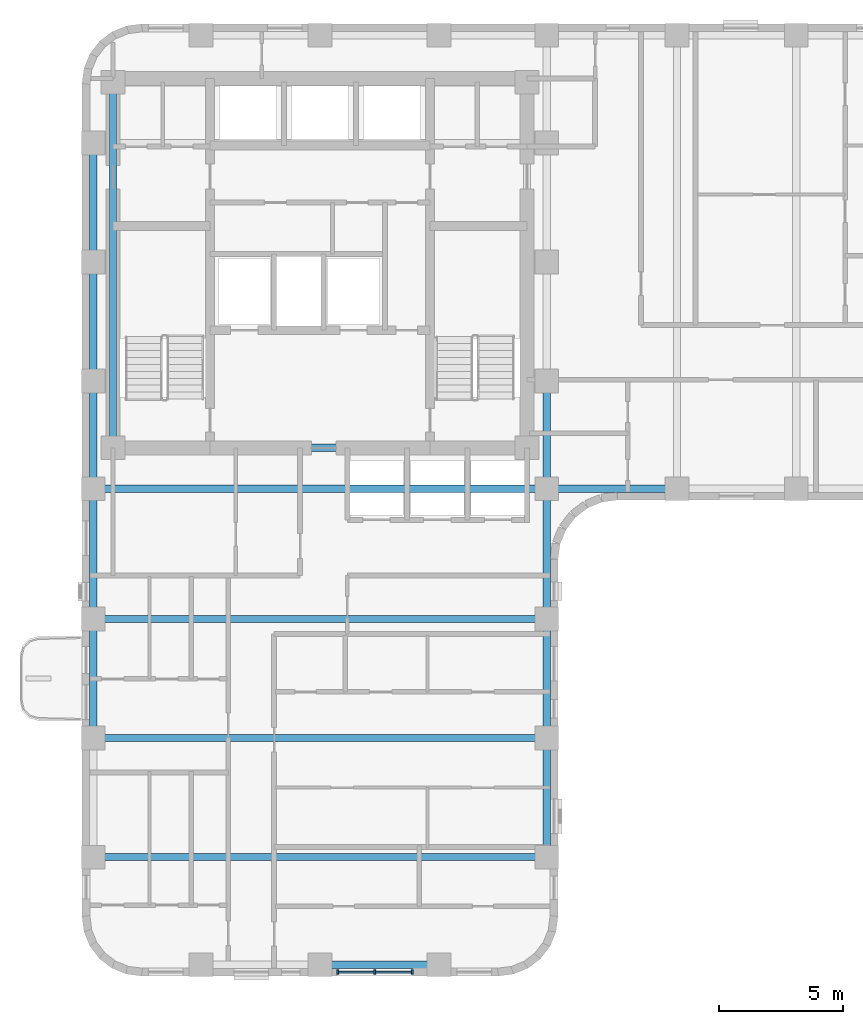
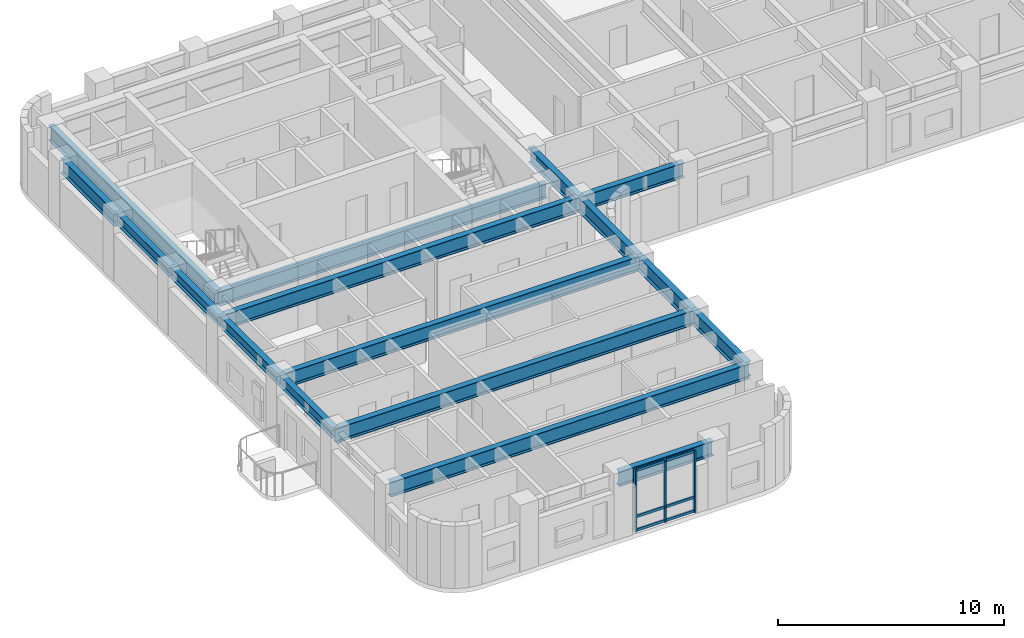
# One storey, part 2 of 11: 17 beams, 9 members, 1 element without a shape of its own.
"""IFC4 building model written with IfcOpenShell, lengths in metres."""

from ifc_helpers import new_model, si_unit, direction, frame, origin, origin_2d, place, context, subcontext, project, spatial, rectangle, i_section, extrude, material, material_profile, profile_set, type_object, element, aggregate, save


model = new_model("IFC4")

# Units and contexts
model_context = context("Model", 3, precision=1e-05, world=origin(), true_north=direction((0.0, 1.0)))
body_context = subcontext(model_context, "Body", "Model", "MODEL_VIEW")
ifc_project = project(units=[si_unit("LENGTHUNIT", "METRE"), si_unit("AREAUNIT", "SQUARE_METRE"), si_unit("VOLUMEUNIT", "CUBIC_METRE"), si_unit("PLANEANGLEUNIT", "RADIAN"), si_unit("MASSUNIT", "GRAM", prefix="KILO")], contexts=[model_context])

# Site, building, storey
site_placement = place(None, origin())
site = spatial("IfcSite", under=ifc_project, at=site_placement, CompositionType="ELEMENT")
building_placement = place(site_placement, origin())
building = spatial("IfcBuilding", under=site, at=building_placement, Name="Orvandelia Arch Residences", CompositionType="ELEMENT")
storey_placement = place(building_placement, frame((0.0, 0.0, 125.199951171875)))
storey = spatial("IfcBuildingStorey", under=building, at=storey_placement, Name="L32", CompositionType="ELEMENT", Elevation=125.199951171875)

# Beams
ifc_material_1 = material(Name="Structural Steel SM355 (355 MPa)", Category="steel")
ifc_material_profile_1 = material_profile(ifc_material_1, i_section(OverallWidth=0.300048828125, OverallDepth=0.800048828125, WebThickness=0.013916015625, FlangeThickness=0.02587890625, FilletRadius=0.02587890625, at=origin_2d()), Name="Structural Steel SM355 (355 MPa)", Category="steel")
ifc_profile_set_1 = profile_set([ifc_material_profile_1], Name="Structural Steel SM355 (355 MPa)")
beam_type_1 = type_object("IfcBeamType", Name="BM-GRD-H800", PredefinedType="BEAM", material=ifc_profile_set_1)
beam_1_placement = place(storey_placement, frame((5.25, 38.39990234375, 2.9599609375), z_axis=(0.0, 1.0, 0.0), x_axis=(-1.0, 0.0, 0.0)))
element("IfcBeam", 1, at=beam_1_placement, inside=storey, type_object=beam_type_1, Name="Structural Frame Beam L32-NS-006", PredefinedType="BEAM", context=body_context, shape_type="SweptSolid", body=[
    extrude(i_section(OverallWidth=0.300048828125, OverallDepth=0.800048828125, WebThickness=0.013916015625, FlangeThickness=0.02587890625, FilletRadius=0.02587890625, at=origin_2d()), origin(), (0.0, 0.0, 1.0), 4.800048828125),
])
beam_2_placement = place(storey_placement, frame((6.050048828125, 30.89990234375, 2.9599609375), z_axis=(0.0, 1.0, 0.0), x_axis=(-1.0, 0.0, 0.0)))
element("IfcBeam", 2, at=beam_2_placement, inside=storey, type_object=beam_type_1, Name="Structural Frame Beam L32-NS-007", PredefinedType="BEAM", context=body_context, shape_type="SweptSolid", body=[
    extrude(i_section(OverallWidth=0.300048828125, OverallDepth=0.800048828125, WebThickness=0.013916015625, FlangeThickness=0.02587890625, FilletRadius=0.02587890625, at=origin_2d()), origin(), (0.0, 0.0, 1.0), 14.75),
])
for number, where, z_axis, x_axis, name in (
    (3, (23.550048828125, 14.39990234375, 2.9599609375), (0.0, 1.0, 0.0), (-1.0, 0.0, 0.0), "Structural Frame Beam L32-NS-009"),
    (4, (23.550048828125, 19.199951171875, 2.9599609375), (0.0, 1.0, 0.0), (-1.0, 0.0, 0.0), "Structural Frame Beam L32-NS-010"),
):
    element("IfcBeam", number, at=place(storey_placement, frame(where, z_axis=z_axis, x_axis=x_axis)), inside=storey, type_object=beam_type_1, Name=name, PredefinedType="BEAM", context=body_context, shape_type="SweptSolid", body=[
        extrude(i_section(OverallWidth=0.300048828125, OverallDepth=0.800048828125, WebThickness=0.013916015625, FlangeThickness=0.02587890625, FilletRadius=0.02587890625, at=origin_2d()), origin(), (0.0, 0.0, 1.0), 4.800048828125),
    ])
beam_3_placement = place(storey_placement, frame((23.550048828125, 24.0, 2.9599609375), z_axis=(0.0, 1.0, 0.0), x_axis=(-1.0, 0.0, 0.0)))
element("IfcBeam", 5, at=beam_3_placement, inside=storey, type_object=beam_type_1, Name="Structural Frame Beam L32-NS-011", PredefinedType="BEAM", context=body_context, shape_type="SweptSolid", body=[
    extrude(i_section(OverallWidth=0.300048828125, OverallDepth=0.800048828125, WebThickness=0.013916015625, FlangeThickness=0.02587890625, FilletRadius=0.02587890625, at=origin_2d()), origin(), (0.0, 0.0, 1.0), 5.25),
])
beam_4_placement = place(storey_placement, frame((23.550048828125, 29.25, 2.9599609375), z_axis=(0.0, 1.0, 0.0), x_axis=(-1.0, 0.0, 0.0)))
element("IfcBeam", 6, at=beam_4_placement, inside=storey, type_object=beam_type_1, Name="Structural Frame Beam L32-NS-012", PredefinedType="BEAM", context=body_context, shape_type="SweptSolid", body=[
    extrude(i_section(OverallWidth=0.300048828125, OverallDepth=0.800048828125, WebThickness=0.013916015625, FlangeThickness=0.02587890625, FilletRadius=0.02587890625, at=origin_2d()), origin(), (0.0, 0.0, 1.0), 4.35009765625),
])
beam_5_placement = place(storey_placement, frame((14.39990234375, 10.050048828125, 2.9599609375), z_axis=(1.0, 0.0, 0.0), x_axis=(0.0, 1.0, 0.0)))
element("IfcBeam", 7, at=beam_5_placement, inside=storey, type_object=beam_type_1, Name="Structural Frame Girder L32-EW-026", PredefinedType="BEAM", context=body_context, shape_type="SweptSolid", body=[
    extrude(i_section(OverallWidth=0.300048828125, OverallDepth=0.800048828125, WebThickness=0.013916015625, FlangeThickness=0.02587890625, FilletRadius=0.02587890625, at=origin_2d()), origin(), (0.0, 0.0, 1.0), 4.800048828125),
])
for number, where, z_axis, x_axis, name in (
    (8, (5.25, 14.39990234375, 2.9599609375), (1.0, 0.0, 0.0), (0.0, 1.0, 0.0), "Structural Frame Girder L32-EW-027"),
    (9, (5.25, 19.199951171875, 2.9599609375), (1.0, 0.0, 0.0), (0.0, 1.0, 0.0), "Structural Frame Girder L32-EW-028"),
    (10, (5.25, 24.0, 2.9599609375), (1.0, 0.0, 0.0), (0.0, 1.0, 0.0), "Structural Frame Girder L32-EW-029"),
    (11, (5.25, 29.25, 2.9599609375), (1.0, 0.0, 0.0), (0.0, 1.0, 0.0), "Structural Frame Girder L32-EW-030"),
):
    element("IfcBeam", number, at=place(storey_placement, frame(where, z_axis=z_axis, x_axis=x_axis)), inside=storey, type_object=beam_type_1, Name=name, PredefinedType="BEAM", context=body_context, shape_type="SweptSolid", body=[
        extrude(i_section(OverallWidth=0.300048828125, OverallDepth=0.800048828125, WebThickness=0.013916015625, FlangeThickness=0.02587890625, FilletRadius=0.02587890625, at=origin_2d()), origin(), (0.0, 0.0, 1.0), 18.300048828125),
    ])
beam_6_placement = place(storey_placement, frame((23.550048828125, 29.25, 2.9599609375), z_axis=(1.0, 0.0, 0.0), x_axis=(0.0, 1.0, 0.0)))
element("IfcBeam", 12, at=beam_6_placement, inside=storey, type_object=beam_type_1, Name="Structural Frame Girder L32-EW-031", PredefinedType="BEAM", context=body_context, shape_type="SweptSolid", body=[
    extrude(i_section(OverallWidth=0.300048828125, OverallDepth=0.800048828125, WebThickness=0.013916015625, FlangeThickness=0.02587890625, FilletRadius=0.02587890625, at=origin_2d()), origin(), (0.0, 0.0, 1.0), 5.25),
])
beam_7_placement = place(storey_placement, frame((6.050048828125, 30.89990234375, 2.9599609375), z_axis=(1.0, 0.0, 0.0), x_axis=(0.0, 1.0, 0.0)))
element("IfcBeam", 13, at=beam_7_placement, inside=storey, type_object=beam_type_1, Name="Structural Frame Girder L32-EW-037", PredefinedType="BEAM", context=body_context, shape_type="SweptSolid", body=[
    extrude(i_section(OverallWidth=0.300048828125, OverallDepth=0.800048828125, WebThickness=0.013916015625, FlangeThickness=0.02587890625, FilletRadius=0.02587890625, at=origin_2d()), origin(), (0.0, 0.0, 1.0), 16.699951171875),
])
ifc_material_profile_2 = material_profile(ifc_material_1, i_section(OverallWidth=0.300048828125, OverallDepth=0.587890625, WebThickness=0.011962890625, FlangeThickness=0.02001953125, FilletRadius=0.02197265625, at=origin_2d()), Name="Structural Steel SM355 (355 MPa)", Category="steel")
ifc_profile_set_2 = profile_set([ifc_material_profile_2], Name="Structural Steel SM355 (355 MPa)")
beam_type_2 = type_object("IfcBeamType", Name="BM-SPN-H588", PredefinedType="SPANDREL", material=ifc_profile_set_2)
beam_8_placement = place(storey_placement, frame((5.25, 19.199951171875, 3.066162109375), z_axis=(0.0, 1.0, 0.0), x_axis=(-1.0, 0.0, 0.0)))
element("IfcBeam", 14, at=beam_8_placement, inside=storey, type_object=beam_type_2, Name="Structural Frame Beam L32-NS-002", PredefinedType="SPANDREL", context=body_context, shape_type="SweptSolid", body=[
    extrude(i_section(OverallWidth=0.300048828125, OverallDepth=0.587890625, WebThickness=0.011962890625, FlangeThickness=0.02001953125, FilletRadius=0.02197265625, at=origin_2d()), origin(), (0.0, 0.0, 1.0), 4.800048828125),
])
beam_9_placement = place(storey_placement, frame((5.25, 24.0, 3.066162109375), z_axis=(0.0, 1.0, 0.0), x_axis=(-1.0, 0.0, 0.0)))
element("IfcBeam", 15, at=beam_9_placement, inside=storey, type_object=beam_type_2, Name="Structural Frame Beam L32-NS-003", PredefinedType="SPANDREL", context=body_context, shape_type="SweptSolid", body=[
    extrude(i_section(OverallWidth=0.300048828125, OverallDepth=0.587890625, WebThickness=0.011962890625, FlangeThickness=0.02001953125, FilletRadius=0.02197265625, at=origin_2d()), origin(), (0.0, 0.0, 1.0), 5.25),
])
beam_10_placement = place(storey_placement, frame((5.25, 29.25, 3.066162109375), z_axis=(0.0, 1.0, 0.0), x_axis=(-1.0, 0.0, 0.0)))
element("IfcBeam", 16, at=beam_10_placement, inside=storey, type_object=beam_type_2, Name="Structural Frame Beam L32-NS-004", PredefinedType="SPANDREL", context=body_context, shape_type="SweptSolid", body=[
    extrude(i_section(OverallWidth=0.300048828125, OverallDepth=0.587890625, WebThickness=0.011962890625, FlangeThickness=0.02001953125, FilletRadius=0.02197265625, at=origin_2d()), origin(), (0.0, 0.0, 1.0), 4.35009765625),
])
beam_11_placement = place(storey_placement, frame((5.25, 33.60009765625, 3.066162109375), z_axis=(0.0, 1.0, 0.0), x_axis=(-1.0, 0.0, 0.0)))
element("IfcBeam", 17, at=beam_11_placement, inside=storey, type_object=beam_type_2, Name="Structural Frame Beam L32-NS-005", PredefinedType="SPANDREL", context=body_context, shape_type="SweptSolid", body=[
    extrude(i_section(OverallWidth=0.300048828125, OverallDepth=0.587890625, WebThickness=0.011962890625, FlangeThickness=0.02001953125, FilletRadius=0.02197265625, at=origin_2d()), origin(), (0.0, 0.0, 1.0), 4.7998046875),
])

# Curtain wall, members
ifc_material_2 = material(Name="Anodised Bronze Curtain Wall Assembly")
curtain_wall_type = type_object("IfcCurtainWallType", Name="CW-SYS5-CORNER", PredefinedType="NOTDEFINED", material=ifc_material_2)
curtain_wall_placement = place(storey_placement, origin())
curtain_wall = element("IfcCurtainWall", 18, at=curtain_wall_placement, inside=storey, type_object=curtain_wall_type, Name="Feature Bay Winter-Garden Curtain Wall L32 1", PredefinedType="NOTDEFINED")
ifc_material_3 = material(Name="Anodised Aluminium Alloy 6063-T6", Category="aluminium")
ifc_material_profile_3 = material_profile(ifc_material_3, rectangle(XDim=0.080078125, YDim=0.179931640625, at=origin_2d()), Name="Anodised Aluminium Alloy 6063-T6", Category="aluminium")
ifc_profile_set_3 = profile_set([ifc_material_profile_3], Name="Anodised Aluminium Alloy 6063-T6")
member_type_1 = type_object("IfcMemberType", Name="CW-MULLION-80x160", PredefinedType="MULLION", material=ifc_profile_set_3)
member_1_placement = place(storey_placement, frame((15.114990234375, 9.760009765625, 0.0), z_axis=(0.0, 0.0, 1.0), x_axis=(1.0, 0.0, 0.0)))
member_1 = element("IfcMember", 19, at=member_1_placement, type_object=member_type_1, Name="Curtain Wall Mullion CW-L32-1-M1", PredefinedType="MULLION", context=body_context, shape_type="SweptSolid", body=[
    extrude(rectangle(XDim=0.080078125, YDim=0.179931640625, at=origin_2d()), origin(), (0.0, 0.0, 1.0), 3.360107421875),
])
member_2_placement = place(storey_placement, frame((16.617431640625, 9.760009765625, 0.0), z_axis=(0.0, 0.0, 1.0), x_axis=(1.0, 0.0, 0.0)))
member_2 = element("IfcMember", 20, at=member_2_placement, type_object=member_type_1, Name="Curtain Wall Mullion CW-L32-1-M2", PredefinedType="MULLION", context=body_context, shape_type="SweptSolid", body=[
    extrude(rectangle(XDim=0.080078125, YDim=0.179931640625, at=origin_2d()), origin(), (0.0, 0.0, 1.0), 3.360107421875),
])
member_3_placement = place(storey_placement, frame((18.1201171875, 9.760009765625, 0.0), z_axis=(0.0, 0.0, 1.0), x_axis=(1.0, 0.0, 0.0)))
member_3 = element("IfcMember", 21, at=member_3_placement, type_object=member_type_1, Name="Curtain Wall Mullion CW-L32-1-M3", PredefinedType="MULLION", context=body_context, shape_type="SweptSolid", body=[
    extrude(rectangle(XDim=0.080078125, YDim=0.179931640625, at=origin_2d()), origin(), (0.0, 0.0, 1.0), 3.360107421875),
])
ifc_material_profile_4 = material_profile(ifc_material_3, rectangle(XDim=0.080078125, YDim=0.139892578125, at=origin_2d()), Name="Anodised Aluminium Alloy 6063-T6", Category="aluminium")
ifc_profile_set_4 = profile_set([ifc_material_profile_4], Name="Anodised Aluminium Alloy 6063-T6")
member_type_2 = type_object("IfcMemberType", Name="CW-TRANSOM-80x140", PredefinedType="USERDEFINED", material=ifc_profile_set_4)
member_4_placement = place(storey_placement, frame((15.139892578125, 9.760009765625, 0.070068359375), z_axis=(1.0, 0.0, 0.0), x_axis=(0.0, 1.0, 0.0)))
member_4 = element("IfcMember", 22, at=member_4_placement, type_object=member_type_2, Name="Curtain Wall Transom CW-L32-1-T1-1", ObjectType="TRANSOM", PredefinedType="USERDEFINED", context=body_context, shape_type="SweptSolid", body=[
    extrude(rectangle(XDim=0.080078125, YDim=0.139892578125, at=origin_2d()), origin(), (0.0, 0.0, 1.0), 1.45263671875),
])
member_5_placement = place(storey_placement, frame((15.139892578125, 9.760009765625, 0.806396484375), z_axis=(1.0, 0.0, 0.0), x_axis=(0.0, 1.0, 0.0)))
member_5 = element("IfcMember", 23, at=member_5_placement, type_object=member_type_2, Name="Curtain Wall Transom CW-L32-1-T1-2", ObjectType="TRANSOM", PredefinedType="USERDEFINED", context=body_context, shape_type="SweptSolid", body=[
    extrude(rectangle(XDim=0.080078125, YDim=0.139892578125, at=origin_2d()), origin(), (0.0, 0.0, 1.0), 1.45263671875),
])
member_6_placement = place(storey_placement, frame((15.139892578125, 9.760009765625, 3.2900390625), z_axis=(1.0, 0.0, 0.0), x_axis=(0.0, 1.0, 0.0)))
member_6 = element("IfcMember", 24, at=member_6_placement, type_object=member_type_2, Name="Curtain Wall Transom CW-L32-1-T1-3", ObjectType="TRANSOM", PredefinedType="USERDEFINED", context=body_context, shape_type="SweptSolid", body=[
    extrude(rectangle(XDim=0.080078125, YDim=0.139892578125, at=origin_2d()), origin(), (0.0, 0.0, 1.0), 1.45263671875),
])
member_7_placement = place(storey_placement, frame((16.642578125, 9.760009765625, 0.070068359375), z_axis=(1.0, 0.0, 0.0), x_axis=(0.0, 1.0, 0.0)))
member_7 = element("IfcMember", 25, at=member_7_placement, type_object=member_type_2, Name="Curtain Wall Transom CW-L32-1-T2-1", ObjectType="TRANSOM", PredefinedType="USERDEFINED", context=body_context, shape_type="SweptSolid", body=[
    extrude(rectangle(XDim=0.080078125, YDim=0.139892578125, at=origin_2d()), origin(), (0.0, 0.0, 1.0), 1.452392578125),
])
member_8_placement = place(storey_placement, frame((16.642578125, 9.760009765625, 0.806396484375), z_axis=(1.0, 0.0, 0.0), x_axis=(0.0, 1.0, 0.0)))
member_8 = element("IfcMember", 26, at=member_8_placement, type_object=member_type_2, Name="Curtain Wall Transom CW-L32-1-T2-2", ObjectType="TRANSOM", PredefinedType="USERDEFINED", context=body_context, shape_type="SweptSolid", body=[
    extrude(rectangle(XDim=0.080078125, YDim=0.139892578125, at=origin_2d()), origin(), (0.0, 0.0, 1.0), 1.452392578125),
])
member_9_placement = place(storey_placement, frame((16.642578125, 9.760009765625, 3.2900390625), z_axis=(1.0, 0.0, 0.0), x_axis=(0.0, 1.0, 0.0)))
member_9 = element("IfcMember", 27, at=member_9_placement, type_object=member_type_2, Name="Curtain Wall Transom CW-L32-1-T2-3", ObjectType="TRANSOM", PredefinedType="USERDEFINED", context=body_context, shape_type="SweptSolid", body=[
    extrude(rectangle(XDim=0.080078125, YDim=0.139892578125, at=origin_2d()), origin(), (0.0, 0.0, 1.0), 1.452392578125),
])
aggregate(curtain_wall, [member_1, member_2, member_3, member_4, member_5, member_6, member_7, member_8, member_9])

save(model, "model.ifc")
